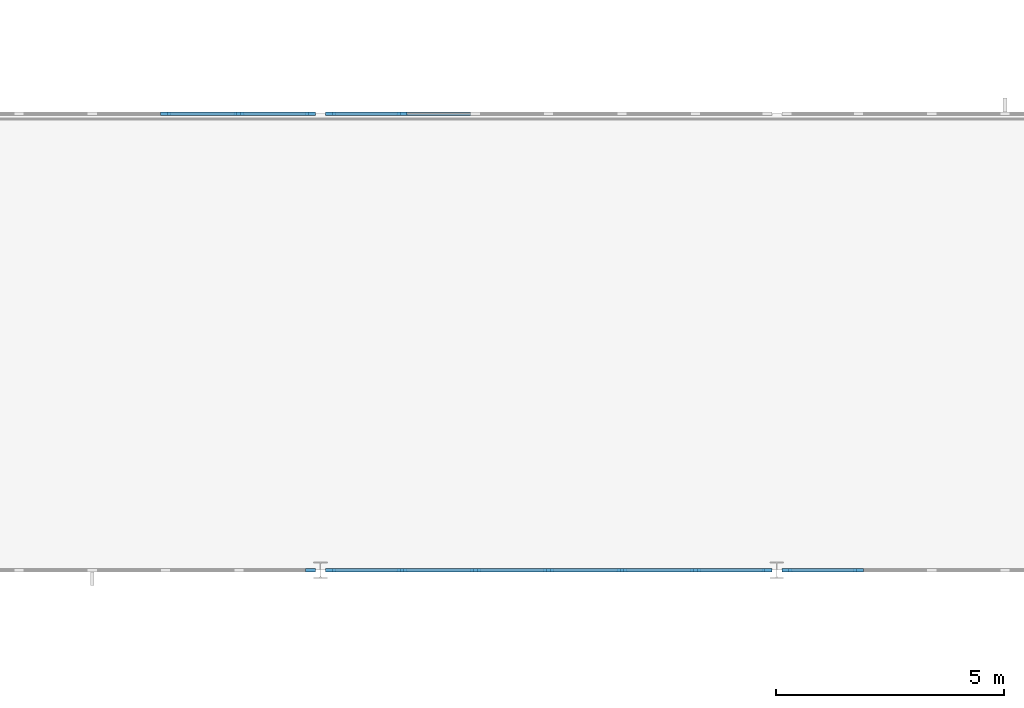
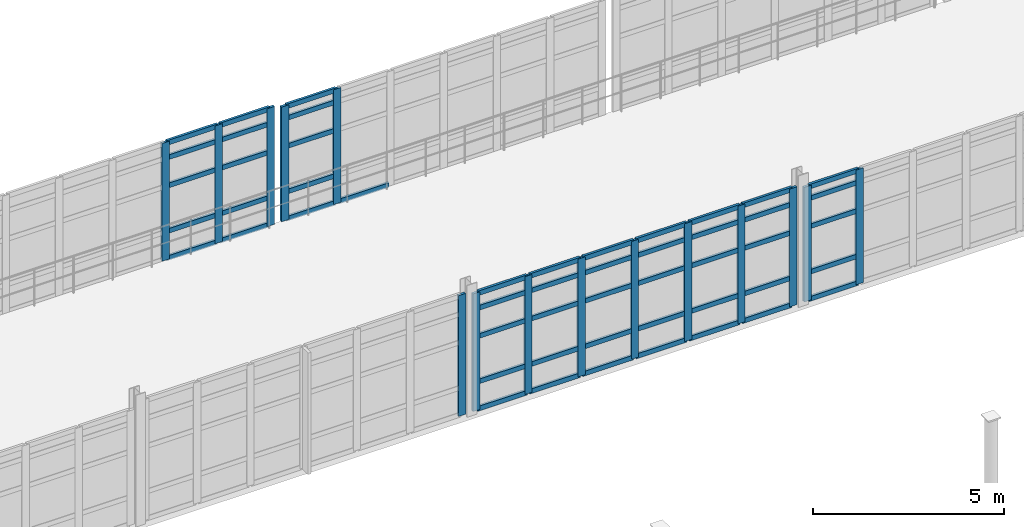
# One storey, part 43 of 122: 66 members, 5 elements without a shape of their own.
"""IFC4 building model written with IfcOpenShell, lengths in metres."""

from ifc_helpers import new_model, si_unit, direction, frame, origin, origin_2d, place, context, subcontext, project, spatial, rectangle, extrude, material, layer, layer_set, material_profile, profile_set, type_object, element, aggregate, save


model = new_model("IFC4")

# Units and contexts
model_context = context("Model", 3, precision=1e-05, world=origin(), true_north=direction((0.0, 1.0)))
body_context = subcontext(model_context, "Body", "Model", "MODEL_VIEW")
ifc_project = project(units=[si_unit("LENGTHUNIT", "METRE"), si_unit("AREAUNIT", "SQUARE_METRE"), si_unit("VOLUMEUNIT", "CUBIC_METRE"), si_unit("PLANEANGLEUNIT", "RADIAN"), si_unit("MASSUNIT", "GRAM", prefix="KILO"), si_unit("THERMODYNAMICTEMPERATUREUNIT", "KELVIN"), si_unit("POWERUNIT", "WATT")], contexts=[model_context])

# Site, building, storey
site_placement = place(None, origin())
site = spatial("IfcSite", under=ifc_project, at=site_placement, CompositionType="ELEMENT")
building_placement = place(site_placement, origin())
building = spatial("IfcBuilding", under=site, at=building_placement, Name="Korenveer Ferry Terminal", CompositionType="ELEMENT")
storey_placement = place(building_placement, frame((0.0, 0.0, 10.199951171875)))
storey = spatial("IfcBuildingStorey", under=building, at=storey_placement, Name="L02", CompositionType="ELEMENT", Elevation=10.199951171875)

# Curtain wall, member
ifc_material_1 = material(Name="Unitised bronze-and-glass curtain wall", Category="glass")
ifc_layer_1 = layer(ifc_material_1, 0.219970703125)
ifc_layer_set_1 = layer_set([ifc_layer_1], Name="Unitised bronze-and-glass curtain wall")
curtain_wall_type_1 = type_object("IfcCurtainWallType", Name="ENV-CW-92", PredefinedType="USERDEFINED", material=ifc_layer_set_1)
curtain_wall_1_placement = place(storey_placement, frame((73.179931640625, 50.0, 0.0)))
curtain_wall_1 = element("IfcCurtainWall", 1, at=curtain_wall_1_placement, inside=storey, type_object=curtain_wall_type_1, Name="Lancet curtain wall CWX-L02-X73-83-Y50-50", ObjectType="UNITISED CURTAIN WALL", PredefinedType="USERDEFINED")
ifc_material_2 = material(Name="Anodised bronze aluminium", Category="aluminium")
ifc_material_profile_1 = material_profile(ifc_material_2, rectangle(XDim=0.074951171875, YDim=0.219970703125, at=origin_2d()), Name="ALU 75x220")
ifc_profile_set_1 = profile_set([ifc_material_profile_1], Name="Anodised bronze aluminium")
member_type_1 = type_object("IfcMemberType", Name="ENV-CWM-75X220", PredefinedType="MULLION", material=ifc_profile_set_1)
member_1_placement = place(storey_placement, frame((82.782470703125, 50.0, 0.0), z_axis=(0.0, 0.0, 1.0), x_axis=(0.0, 1.0, 0.0)))
member_1 = element("IfcMember", 2, at=member_1_placement, type_object=member_type_1, Name="CW-92 mullion 7", PredefinedType="MULLION", context=body_context, shape_type="SweptSolid", body=[
    extrude(rectangle(XDim=0.074951171875, YDim=0.219970703125, at=origin_2d()), origin(), (0.0, 0.0, 1.0), 3.860107421875),
])
aggregate(curtain_wall_1, [member_1])

# Curtain wall, members
ifc_layer_2 = layer(ifc_material_1, 0.219970703125)
ifc_layer_set_2 = layer_set([ifc_layer_2], Name="Unitised bronze-and-glass curtain wall")
curtain_wall_type_2 = type_object("IfcCurtainWallType", Name="ENV-CW-90", PredefinedType="USERDEFINED", material=ifc_layer_set_2)
curtain_wall_2_placement = place(storey_placement, frame((83.179931640625, 50.0, 0.0)))
curtain_wall_2 = element("IfcCurtainWall", 3, at=curtain_wall_2_placement, inside=storey, type_object=curtain_wall_type_2, Name="Lancet curtain wall CWX-L02-X83-93-Y50-50", ObjectType="UNITISED CURTAIN WALL", PredefinedType="USERDEFINED")
member_2_placement = place(storey_placement, frame((83.217529296875, 50.0, 0.0), z_axis=(0.0, 0.0, 1.0), x_axis=(0.0, 1.0, 0.0)))
member_2 = element("IfcMember", 4, at=member_2_placement, type_object=member_type_1, Name="CW-90 mullion 1", PredefinedType="MULLION", context=body_context, shape_type="SweptSolid", body=[
    extrude(rectangle(XDim=0.074951171875, YDim=0.219970703125, at=origin_2d()), origin(), (0.0, 0.0, 1.0), 3.760009765625),
])
member_3_placement = place(storey_placement, frame((84.78662109375, 50.0, 0.0), z_axis=(0.0, 0.0, 1.0), x_axis=(0.0, 1.0, 0.0)))
member_3 = element("IfcMember", 5, at=member_3_placement, type_object=member_type_1, Name="CW-90 mullion 2", PredefinedType="MULLION", context=body_context, shape_type="SweptSolid", body=[
    extrude(rectangle(XDim=0.074951171875, YDim=0.219970703125, at=origin_2d()), origin(), (0.0, 0.0, 1.0), 3.760009765625),
])
member_4_placement = place(storey_placement, frame((86.393310546875, 50.0, 0.0), z_axis=(0.0, 0.0, 1.0), x_axis=(0.0, 1.0, 0.0)))
member_4 = element("IfcMember", 6, at=member_4_placement, type_object=member_type_1, Name="CW-90 mullion 3", PredefinedType="MULLION", context=body_context, shape_type="SweptSolid", body=[
    extrude(rectangle(XDim=0.074951171875, YDim=0.219970703125, at=origin_2d()), origin(), (0.0, 0.0, 1.0), 3.760009765625),
])
member_5_placement = place(storey_placement, frame((88.0, 50.0, 0.0), z_axis=(0.0, 0.0, 1.0), x_axis=(0.0, 1.0, 0.0)))
member_5 = element("IfcMember", 7, at=member_5_placement, type_object=member_type_1, Name="CW-90 mullion 4", PredefinedType="MULLION", context=body_context, shape_type="SweptSolid", body=[
    extrude(rectangle(XDim=0.074951171875, YDim=0.219970703125, at=origin_2d()), origin(), (0.0, 0.0, 1.0), 3.760009765625),
])
member_6_placement = place(storey_placement, frame((89.606689453125, 50.0, 0.0), z_axis=(0.0, 0.0, 1.0), x_axis=(0.0, 1.0, 0.0)))
member_6 = element("IfcMember", 8, at=member_6_placement, type_object=member_type_1, Name="CW-90 mullion 5", PredefinedType="MULLION", context=body_context, shape_type="SweptSolid", body=[
    extrude(rectangle(XDim=0.074951171875, YDim=0.219970703125, at=origin_2d()), origin(), (0.0, 0.0, 1.0), 3.760009765625),
])
member_7_placement = place(storey_placement, frame((91.21337890625, 50.0, 0.0), z_axis=(0.0, 0.0, 1.0), x_axis=(0.0, 1.0, 0.0)))
member_7 = element("IfcMember", 9, at=member_7_placement, type_object=member_type_1, Name="CW-90 mullion 6", PredefinedType="MULLION", context=body_context, shape_type="SweptSolid", body=[
    extrude(rectangle(XDim=0.074951171875, YDim=0.219970703125, at=origin_2d()), origin(), (0.0, 0.0, 1.0), 3.760009765625),
])
member_8_placement = place(storey_placement, frame((92.782470703125, 50.0, 0.0), z_axis=(0.0, 0.0, 1.0), x_axis=(0.0, 1.0, 0.0)))
member_8 = element("IfcMember", 10, at=member_8_placement, type_object=member_type_1, Name="CW-90 mullion 7", PredefinedType="MULLION", context=body_context, shape_type="SweptSolid", body=[
    extrude(rectangle(XDim=0.074951171875, YDim=0.219970703125, at=origin_2d()), origin(), (0.0, 0.0, 1.0), 3.760009765625),
])

ifc_layer_3 = layer(ifc_material_1, 0.219970703125)
ifc_layer_set_3 = layer_set([ifc_layer_3], Name="Unitised bronze-and-glass curtain wall")
curtain_wall_type_3 = type_object("IfcCurtainWallType", Name="ENV-CW-91", PredefinedType="USERDEFINED", material=ifc_layer_set_3)
curtain_wall_3_placement = place(storey_placement, frame((93.179931640625, 50.0, 0.0)))
curtain_wall_3 = element("IfcCurtainWall", 11, at=curtain_wall_3_placement, inside=storey, type_object=curtain_wall_type_3, Name="Lancet curtain wall CWX-L02-X93-103-Y50-50", ObjectType="UNITISED CURTAIN WALL", PredefinedType="USERDEFINED")
member_9_placement = place(storey_placement, frame((93.217529296875, 50.0, 0.0), z_axis=(0.0, 0.0, 1.0), x_axis=(0.0, 1.0, 0.0)))
member_9 = element("IfcMember", 12, at=member_9_placement, type_object=member_type_1, Name="CW-91 mullion 1", PredefinedType="MULLION", context=body_context, shape_type="SweptSolid", body=[
    extrude(rectangle(XDim=0.074951171875, YDim=0.219970703125, at=origin_2d()), origin(), (0.0, 0.0, 1.0), 3.66015625),
])
member_10_placement = place(storey_placement, frame((94.78662109375, 50.0, 0.0), z_axis=(0.0, 0.0, 1.0), x_axis=(0.0, 1.0, 0.0)))
member_10 = element("IfcMember", 13, at=member_10_placement, type_object=member_type_1, Name="CW-91 mullion 2", PredefinedType="MULLION", context=body_context, shape_type="SweptSolid", body=[
    extrude(rectangle(XDim=0.074951171875, YDim=0.219970703125, at=origin_2d()), origin(), (0.0, 0.0, 1.0), 3.66015625),
])

curtain_wall_4_placement = place(storey_placement, frame((73.179931640625, 60.0, 0.0)))
curtain_wall_4 = element("IfcCurtainWall", 14, at=curtain_wall_4_placement, inside=storey, type_object=curtain_wall_type_2, Name="Lancet curtain wall CWX-L02-X73-83-Y60-60", ObjectType="UNITISED CURTAIN WALL", PredefinedType="USERDEFINED")
member_11_placement = place(storey_placement, frame((79.606689453125, 60.0, 0.0), z_axis=(0.0, 0.0, 1.0), x_axis=(0.0, 1.0, 0.0)))
member_11 = element("IfcMember", 15, at=member_11_placement, type_object=member_type_1, Name="CW-90 mullion 5", PredefinedType="MULLION", context=body_context, shape_type="SweptSolid", body=[
    extrude(rectangle(XDim=0.074951171875, YDim=0.219970703125, at=origin_2d()), origin(), (0.0, 0.0, 1.0), 3.760009765625),
])
member_12_placement = place(storey_placement, frame((81.21337890625, 60.0, 0.0), z_axis=(0.0, 0.0, 1.0), x_axis=(0.0, 1.0, 0.0)))
member_12 = element("IfcMember", 16, at=member_12_placement, type_object=member_type_1, Name="CW-90 mullion 6", PredefinedType="MULLION", context=body_context, shape_type="SweptSolid", body=[
    extrude(rectangle(XDim=0.074951171875, YDim=0.219970703125, at=origin_2d()), origin(), (0.0, 0.0, 1.0), 3.760009765625),
])
member_13_placement = place(storey_placement, frame((82.782470703125, 60.0, 0.0), z_axis=(0.0, 0.0, 1.0), x_axis=(0.0, 1.0, 0.0)))
member_13 = element("IfcMember", 17, at=member_13_placement, type_object=member_type_1, Name="CW-90 mullion 7", PredefinedType="MULLION", context=body_context, shape_type="SweptSolid", body=[
    extrude(rectangle(XDim=0.074951171875, YDim=0.219970703125, at=origin_2d()), origin(), (0.0, 0.0, 1.0), 3.760009765625),
])

curtain_wall_5_placement = place(storey_placement, frame((83.179931640625, 60.0, 0.0)))
curtain_wall_5 = element("IfcCurtainWall", 18, at=curtain_wall_5_placement, inside=storey, type_object=curtain_wall_type_3, Name="Lancet curtain wall CWX-L02-X83-93-Y60-60", ObjectType="UNITISED CURTAIN WALL", PredefinedType="USERDEFINED")
member_14_placement = place(storey_placement, frame((83.217529296875, 60.0, 0.0), z_axis=(0.0, 0.0, 1.0), x_axis=(0.0, 1.0, 0.0)))
member_14 = element("IfcMember", 19, at=member_14_placement, type_object=member_type_1, Name="CW-91 mullion 1", PredefinedType="MULLION", context=body_context, shape_type="SweptSolid", body=[
    extrude(rectangle(XDim=0.074951171875, YDim=0.219970703125, at=origin_2d()), origin(), (0.0, 0.0, 1.0), 3.66015625),
])
member_15_placement = place(storey_placement, frame((84.78662109375, 60.0, 0.0), z_axis=(0.0, 0.0, 1.0), x_axis=(0.0, 1.0, 0.0)))
member_15 = element("IfcMember", 20, at=member_15_placement, type_object=member_type_1, Name="CW-91 mullion 2", PredefinedType="MULLION", context=body_context, shape_type="SweptSolid", body=[
    extrude(rectangle(XDim=0.074951171875, YDim=0.219970703125, at=origin_2d()), origin(), (0.0, 0.0, 1.0), 3.66015625),
])

# Member
ifc_material_profile_2 = material_profile(ifc_material_2, rectangle(XDim=0.074951171875, YDim=0.14990234375, at=origin_2d()), Name="ALU 75x150")
ifc_profile_set_2 = profile_set([ifc_material_profile_2], Name="Anodised bronze aluminium")
member_type_2 = type_object("IfcMemberType", Name="ENV-CWT-75X150", PredefinedType="USERDEFINED", material=ifc_profile_set_2)
member_16_placement = place(storey_placement, frame((83.2548828125, 50.0, 0.03759765625), z_axis=(1.0, 0.0, 0.0), x_axis=(0.0, 1.0, 0.0)))
member_16 = element("IfcMember", 21, at=member_16_placement, type_object=member_type_2, Name="CW-90 transom 1.1", ObjectType="TRANSOM", PredefinedType="USERDEFINED", context=body_context, shape_type="SweptSolid", body=[
    extrude(rectangle(XDim=0.074951171875, YDim=0.14990234375, at=origin_2d()), origin(), (0.0, 0.0, 1.0), 1.494384765625),
])

member_17_placement = place(storey_placement, frame((83.2548828125, 50.0, 0.900146484375), z_axis=(1.0, 0.0, 0.0), x_axis=(0.0, 1.0, 0.0)))
member_17 = element("IfcMember", 22, at=member_17_placement, type_object=member_type_2, Name="CW-90 transom 1.2", ObjectType="TRANSOM", PredefinedType="USERDEFINED", context=body_context, shape_type="SweptSolid", body=[
    extrude(rectangle(XDim=0.074951171875, YDim=0.14990234375, at=origin_2d()), origin(), (0.0, 0.0, 1.0), 1.494384765625),
])

member_18_placement = place(storey_placement, frame((83.2548828125, 50.0, 2.35009765625), z_axis=(1.0, 0.0, 0.0), x_axis=(0.0, 1.0, 0.0)))
member_18 = element("IfcMember", 23, at=member_18_placement, type_object=member_type_2, Name="CW-90 transom 1.3", ObjectType="TRANSOM", PredefinedType="USERDEFINED", context=body_context, shape_type="SweptSolid", body=[
    extrude(rectangle(XDim=0.074951171875, YDim=0.14990234375, at=origin_2d()), origin(), (0.0, 0.0, 1.0), 1.494384765625),
])

member_19_placement = place(storey_placement, frame((83.2548828125, 50.0, 3.25), z_axis=(1.0, 0.0, 0.0), x_axis=(0.0, 1.0, 0.0)))
member_19 = element("IfcMember", 24, at=member_19_placement, type_object=member_type_2, Name="CW-90 transom 1.4", ObjectType="TRANSOM", PredefinedType="USERDEFINED", context=body_context, shape_type="SweptSolid", body=[
    extrude(rectangle(XDim=0.074951171875, YDim=0.14990234375, at=origin_2d()), origin(), (0.0, 0.0, 1.0), 1.494384765625),
])

member_20_placement = place(storey_placement, frame((83.2548828125, 50.0, 3.72265625), z_axis=(1.0, 0.0, 0.0), x_axis=(0.0, 1.0, 0.0)))
member_20 = element("IfcMember", 25, at=member_20_placement, type_object=member_type_2, Name="CW-90 transom 1.5", ObjectType="TRANSOM", PredefinedType="USERDEFINED", context=body_context, shape_type="SweptSolid", body=[
    extrude(rectangle(XDim=0.074951171875, YDim=0.14990234375, at=origin_2d()), origin(), (0.0, 0.0, 1.0), 1.494384765625),
])

member_21_placement = place(storey_placement, frame((84.82421875, 50.0, 0.03759765625), z_axis=(1.0, 0.0, 0.0), x_axis=(0.0, 1.0, 0.0)))
member_21 = element("IfcMember", 26, at=member_21_placement, type_object=member_type_2, Name="CW-90 transom 2.1", ObjectType="TRANSOM", PredefinedType="USERDEFINED", context=body_context, shape_type="SweptSolid", body=[
    extrude(rectangle(XDim=0.074951171875, YDim=0.14990234375, at=origin_2d()), origin(), (0.0, 0.0, 1.0), 1.531494140625),
])

member_22_placement = place(storey_placement, frame((84.82421875, 50.0, 0.900146484375), z_axis=(1.0, 0.0, 0.0), x_axis=(0.0, 1.0, 0.0)))
member_22 = element("IfcMember", 27, at=member_22_placement, type_object=member_type_2, Name="CW-90 transom 2.2", ObjectType="TRANSOM", PredefinedType="USERDEFINED", context=body_context, shape_type="SweptSolid", body=[
    extrude(rectangle(XDim=0.074951171875, YDim=0.14990234375, at=origin_2d()), origin(), (0.0, 0.0, 1.0), 1.531494140625),
])

member_23_placement = place(storey_placement, frame((84.82421875, 50.0, 2.35009765625), z_axis=(1.0, 0.0, 0.0), x_axis=(0.0, 1.0, 0.0)))
member_23 = element("IfcMember", 28, at=member_23_placement, type_object=member_type_2, Name="CW-90 transom 2.3", ObjectType="TRANSOM", PredefinedType="USERDEFINED", context=body_context, shape_type="SweptSolid", body=[
    extrude(rectangle(XDim=0.074951171875, YDim=0.14990234375, at=origin_2d()), origin(), (0.0, 0.0, 1.0), 1.531494140625),
])

member_24_placement = place(storey_placement, frame((84.82421875, 50.0, 3.25), z_axis=(1.0, 0.0, 0.0), x_axis=(0.0, 1.0, 0.0)))
member_24 = element("IfcMember", 29, at=member_24_placement, type_object=member_type_2, Name="CW-90 transom 2.4", ObjectType="TRANSOM", PredefinedType="USERDEFINED", context=body_context, shape_type="SweptSolid", body=[
    extrude(rectangle(XDim=0.074951171875, YDim=0.14990234375, at=origin_2d()), origin(), (0.0, 0.0, 1.0), 1.531494140625),
])

member_25_placement = place(storey_placement, frame((84.82421875, 50.0, 3.72265625), z_axis=(1.0, 0.0, 0.0), x_axis=(0.0, 1.0, 0.0)))
member_25 = element("IfcMember", 30, at=member_25_placement, type_object=member_type_2, Name="CW-90 transom 2.5", ObjectType="TRANSOM", PredefinedType="USERDEFINED", context=body_context, shape_type="SweptSolid", body=[
    extrude(rectangle(XDim=0.074951171875, YDim=0.14990234375, at=origin_2d()), origin(), (0.0, 0.0, 1.0), 1.531494140625),
])

member_26_placement = place(storey_placement, frame((86.430908203125, 50.0, 0.03759765625), z_axis=(1.0, 0.0, 0.0), x_axis=(0.0, 1.0, 0.0)))
member_26 = element("IfcMember", 31, at=member_26_placement, type_object=member_type_2, Name="CW-90 transom 3.1", ObjectType="TRANSOM", PredefinedType="USERDEFINED", context=body_context, shape_type="SweptSolid", body=[
    extrude(rectangle(XDim=0.074951171875, YDim=0.14990234375, at=origin_2d()), origin(), (0.0, 0.0, 1.0), 1.531494140625),
])

member_27_placement = place(storey_placement, frame((86.430908203125, 50.0, 0.900146484375), z_axis=(1.0, 0.0, 0.0), x_axis=(0.0, 1.0, 0.0)))
member_27 = element("IfcMember", 32, at=member_27_placement, type_object=member_type_2, Name="CW-90 transom 3.2", ObjectType="TRANSOM", PredefinedType="USERDEFINED", context=body_context, shape_type="SweptSolid", body=[
    extrude(rectangle(XDim=0.074951171875, YDim=0.14990234375, at=origin_2d()), origin(), (0.0, 0.0, 1.0), 1.531494140625),
])

member_28_placement = place(storey_placement, frame((86.430908203125, 50.0, 2.35009765625), z_axis=(1.0, 0.0, 0.0), x_axis=(0.0, 1.0, 0.0)))
member_28 = element("IfcMember", 33, at=member_28_placement, type_object=member_type_2, Name="CW-90 transom 3.3", ObjectType="TRANSOM", PredefinedType="USERDEFINED", context=body_context, shape_type="SweptSolid", body=[
    extrude(rectangle(XDim=0.074951171875, YDim=0.14990234375, at=origin_2d()), origin(), (0.0, 0.0, 1.0), 1.531494140625),
])

member_29_placement = place(storey_placement, frame((86.430908203125, 50.0, 3.25), z_axis=(1.0, 0.0, 0.0), x_axis=(0.0, 1.0, 0.0)))
member_29 = element("IfcMember", 34, at=member_29_placement, type_object=member_type_2, Name="CW-90 transom 3.4", ObjectType="TRANSOM", PredefinedType="USERDEFINED", context=body_context, shape_type="SweptSolid", body=[
    extrude(rectangle(XDim=0.074951171875, YDim=0.14990234375, at=origin_2d()), origin(), (0.0, 0.0, 1.0), 1.531494140625),
])

member_30_placement = place(storey_placement, frame((86.430908203125, 50.0, 3.72265625), z_axis=(1.0, 0.0, 0.0), x_axis=(0.0, 1.0, 0.0)))
member_30 = element("IfcMember", 35, at=member_30_placement, type_object=member_type_2, Name="CW-90 transom 3.5", ObjectType="TRANSOM", PredefinedType="USERDEFINED", context=body_context, shape_type="SweptSolid", body=[
    extrude(rectangle(XDim=0.074951171875, YDim=0.14990234375, at=origin_2d()), origin(), (0.0, 0.0, 1.0), 1.531494140625),
])

member_31_placement = place(storey_placement, frame((88.03759765625, 50.0, 0.03759765625), z_axis=(1.0, 0.0, 0.0), x_axis=(0.0, 1.0, 0.0)))
member_31 = element("IfcMember", 36, at=member_31_placement, type_object=member_type_2, Name="CW-90 transom 4.1", ObjectType="TRANSOM", PredefinedType="USERDEFINED", context=body_context, shape_type="SweptSolid", body=[
    extrude(rectangle(XDim=0.074951171875, YDim=0.14990234375, at=origin_2d()), origin(), (0.0, 0.0, 1.0), 1.531494140625),
])

member_32_placement = place(storey_placement, frame((88.03759765625, 50.0, 0.900146484375), z_axis=(1.0, 0.0, 0.0), x_axis=(0.0, 1.0, 0.0)))
member_32 = element("IfcMember", 37, at=member_32_placement, type_object=member_type_2, Name="CW-90 transom 4.2", ObjectType="TRANSOM", PredefinedType="USERDEFINED", context=body_context, shape_type="SweptSolid", body=[
    extrude(rectangle(XDim=0.074951171875, YDim=0.14990234375, at=origin_2d()), origin(), (0.0, 0.0, 1.0), 1.531494140625),
])

member_33_placement = place(storey_placement, frame((88.03759765625, 50.0, 2.35009765625), z_axis=(1.0, 0.0, 0.0), x_axis=(0.0, 1.0, 0.0)))
member_33 = element("IfcMember", 38, at=member_33_placement, type_object=member_type_2, Name="CW-90 transom 4.3", ObjectType="TRANSOM", PredefinedType="USERDEFINED", context=body_context, shape_type="SweptSolid", body=[
    extrude(rectangle(XDim=0.074951171875, YDim=0.14990234375, at=origin_2d()), origin(), (0.0, 0.0, 1.0), 1.531494140625),
])

member_34_placement = place(storey_placement, frame((88.03759765625, 50.0, 3.25), z_axis=(1.0, 0.0, 0.0), x_axis=(0.0, 1.0, 0.0)))
member_34 = element("IfcMember", 39, at=member_34_placement, type_object=member_type_2, Name="CW-90 transom 4.4", ObjectType="TRANSOM", PredefinedType="USERDEFINED", context=body_context, shape_type="SweptSolid", body=[
    extrude(rectangle(XDim=0.074951171875, YDim=0.14990234375, at=origin_2d()), origin(), (0.0, 0.0, 1.0), 1.531494140625),
])

member_35_placement = place(storey_placement, frame((88.03759765625, 50.0, 3.72265625), z_axis=(1.0, 0.0, 0.0), x_axis=(0.0, 1.0, 0.0)))
member_35 = element("IfcMember", 40, at=member_35_placement, type_object=member_type_2, Name="CW-90 transom 4.5", ObjectType="TRANSOM", PredefinedType="USERDEFINED", context=body_context, shape_type="SweptSolid", body=[
    extrude(rectangle(XDim=0.074951171875, YDim=0.14990234375, at=origin_2d()), origin(), (0.0, 0.0, 1.0), 1.531494140625),
])

member_36_placement = place(storey_placement, frame((89.644287109375, 50.0, 0.03759765625), z_axis=(1.0, 0.0, 0.0), x_axis=(0.0, 1.0, 0.0)))
member_36 = element("IfcMember", 41, at=member_36_placement, type_object=member_type_2, Name="CW-90 transom 5.1", ObjectType="TRANSOM", PredefinedType="USERDEFINED", context=body_context, shape_type="SweptSolid", body=[
    extrude(rectangle(XDim=0.074951171875, YDim=0.14990234375, at=origin_2d()), origin(), (0.0, 0.0, 1.0), 1.531494140625),
])

member_37_placement = place(storey_placement, frame((89.644287109375, 50.0, 0.900146484375), z_axis=(1.0, 0.0, 0.0), x_axis=(0.0, 1.0, 0.0)))
member_37 = element("IfcMember", 42, at=member_37_placement, type_object=member_type_2, Name="CW-90 transom 5.2", ObjectType="TRANSOM", PredefinedType="USERDEFINED", context=body_context, shape_type="SweptSolid", body=[
    extrude(rectangle(XDim=0.074951171875, YDim=0.14990234375, at=origin_2d()), origin(), (0.0, 0.0, 1.0), 1.531494140625),
])

member_38_placement = place(storey_placement, frame((89.644287109375, 50.0, 2.35009765625), z_axis=(1.0, 0.0, 0.0), x_axis=(0.0, 1.0, 0.0)))
member_38 = element("IfcMember", 43, at=member_38_placement, type_object=member_type_2, Name="CW-90 transom 5.3", ObjectType="TRANSOM", PredefinedType="USERDEFINED", context=body_context, shape_type="SweptSolid", body=[
    extrude(rectangle(XDim=0.074951171875, YDim=0.14990234375, at=origin_2d()), origin(), (0.0, 0.0, 1.0), 1.531494140625),
])

member_39_placement = place(storey_placement, frame((89.644287109375, 50.0, 3.25), z_axis=(1.0, 0.0, 0.0), x_axis=(0.0, 1.0, 0.0)))
member_39 = element("IfcMember", 44, at=member_39_placement, type_object=member_type_2, Name="CW-90 transom 5.4", ObjectType="TRANSOM", PredefinedType="USERDEFINED", context=body_context, shape_type="SweptSolid", body=[
    extrude(rectangle(XDim=0.074951171875, YDim=0.14990234375, at=origin_2d()), origin(), (0.0, 0.0, 1.0), 1.531494140625),
])

member_40_placement = place(storey_placement, frame((89.644287109375, 50.0, 3.72265625), z_axis=(1.0, 0.0, 0.0), x_axis=(0.0, 1.0, 0.0)))
member_40 = element("IfcMember", 45, at=member_40_placement, type_object=member_type_2, Name="CW-90 transom 5.5", ObjectType="TRANSOM", PredefinedType="USERDEFINED", context=body_context, shape_type="SweptSolid", body=[
    extrude(rectangle(XDim=0.074951171875, YDim=0.14990234375, at=origin_2d()), origin(), (0.0, 0.0, 1.0), 1.531494140625),
])

member_41_placement = place(storey_placement, frame((91.250732421875, 50.0, 0.03759765625), z_axis=(1.0, 0.0, 0.0), x_axis=(0.0, 1.0, 0.0)))
member_41 = element("IfcMember", 46, at=member_41_placement, type_object=member_type_2, Name="CW-90 transom 6.1", ObjectType="TRANSOM", PredefinedType="USERDEFINED", context=body_context, shape_type="SweptSolid", body=[
    extrude(rectangle(XDim=0.074951171875, YDim=0.14990234375, at=origin_2d()), origin(), (0.0, 0.0, 1.0), 1.494384765625),
])

member_42_placement = place(storey_placement, frame((91.250732421875, 50.0, 0.900146484375), z_axis=(1.0, 0.0, 0.0), x_axis=(0.0, 1.0, 0.0)))
member_42 = element("IfcMember", 47, at=member_42_placement, type_object=member_type_2, Name="CW-90 transom 6.2", ObjectType="TRANSOM", PredefinedType="USERDEFINED", context=body_context, shape_type="SweptSolid", body=[
    extrude(rectangle(XDim=0.074951171875, YDim=0.14990234375, at=origin_2d()), origin(), (0.0, 0.0, 1.0), 1.494384765625),
])

member_43_placement = place(storey_placement, frame((91.250732421875, 50.0, 2.35009765625), z_axis=(1.0, 0.0, 0.0), x_axis=(0.0, 1.0, 0.0)))
member_43 = element("IfcMember", 48, at=member_43_placement, type_object=member_type_2, Name="CW-90 transom 6.3", ObjectType="TRANSOM", PredefinedType="USERDEFINED", context=body_context, shape_type="SweptSolid", body=[
    extrude(rectangle(XDim=0.074951171875, YDim=0.14990234375, at=origin_2d()), origin(), (0.0, 0.0, 1.0), 1.494384765625),
])

member_44_placement = place(storey_placement, frame((91.250732421875, 50.0, 3.25), z_axis=(1.0, 0.0, 0.0), x_axis=(0.0, 1.0, 0.0)))
member_44 = element("IfcMember", 49, at=member_44_placement, type_object=member_type_2, Name="CW-90 transom 6.4", ObjectType="TRANSOM", PredefinedType="USERDEFINED", context=body_context, shape_type="SweptSolid", body=[
    extrude(rectangle(XDim=0.074951171875, YDim=0.14990234375, at=origin_2d()), origin(), (0.0, 0.0, 1.0), 1.494384765625),
])

member_45_placement = place(storey_placement, frame((91.250732421875, 50.0, 3.72265625), z_axis=(1.0, 0.0, 0.0), x_axis=(0.0, 1.0, 0.0)))
member_45 = element("IfcMember", 50, at=member_45_placement, type_object=member_type_2, Name="CW-90 transom 6.5", ObjectType="TRANSOM", PredefinedType="USERDEFINED", context=body_context, shape_type="SweptSolid", body=[
    extrude(rectangle(XDim=0.074951171875, YDim=0.14990234375, at=origin_2d()), origin(), (0.0, 0.0, 1.0), 1.494384765625),
])

aggregate(curtain_wall_2, [member_2, member_3, member_4, member_5, member_6, member_7, member_8, member_16, member_17, member_18, member_19, member_20, member_21, member_22, member_23, member_24, member_25, member_26, member_27, member_28, member_29, member_30, member_31, member_32, member_33, member_34, member_35, member_36, member_37, member_38, member_39, member_40, member_41, member_42, member_43, member_44, member_45])

member_46_placement = place(storey_placement, frame((93.2548828125, 50.0, 0.03759765625), z_axis=(1.0, 0.0, 0.0), x_axis=(0.0, 1.0, 0.0)))
member_46 = element("IfcMember", 51, at=member_46_placement, type_object=member_type_2, Name="CW-91 transom 1.1", ObjectType="TRANSOM", PredefinedType="USERDEFINED", context=body_context, shape_type="SweptSolid", body=[
    extrude(rectangle(XDim=0.074951171875, YDim=0.14990234375, at=origin_2d()), origin(), (0.0, 0.0, 1.0), 1.494384765625),
])

member_47_placement = place(storey_placement, frame((93.2548828125, 50.0, 0.900146484375), z_axis=(1.0, 0.0, 0.0), x_axis=(0.0, 1.0, 0.0)))
member_47 = element("IfcMember", 52, at=member_47_placement, type_object=member_type_2, Name="CW-91 transom 1.2", ObjectType="TRANSOM", PredefinedType="USERDEFINED", context=body_context, shape_type="SweptSolid", body=[
    extrude(rectangle(XDim=0.074951171875, YDim=0.14990234375, at=origin_2d()), origin(), (0.0, 0.0, 1.0), 1.494384765625),
])

member_48_placement = place(storey_placement, frame((93.2548828125, 50.0, 2.35009765625), z_axis=(1.0, 0.0, 0.0), x_axis=(0.0, 1.0, 0.0)))
member_48 = element("IfcMember", 53, at=member_48_placement, type_object=member_type_2, Name="CW-91 transom 1.3", ObjectType="TRANSOM", PredefinedType="USERDEFINED", context=body_context, shape_type="SweptSolid", body=[
    extrude(rectangle(XDim=0.074951171875, YDim=0.14990234375, at=origin_2d()), origin(), (0.0, 0.0, 1.0), 1.494384765625),
])

member_49_placement = place(storey_placement, frame((93.2548828125, 50.0, 3.25), z_axis=(1.0, 0.0, 0.0), x_axis=(0.0, 1.0, 0.0)))
member_49 = element("IfcMember", 54, at=member_49_placement, type_object=member_type_2, Name="CW-91 transom 1.4", ObjectType="TRANSOM", PredefinedType="USERDEFINED", context=body_context, shape_type="SweptSolid", body=[
    extrude(rectangle(XDim=0.074951171875, YDim=0.14990234375, at=origin_2d()), origin(), (0.0, 0.0, 1.0), 1.494384765625),
])

member_50_placement = place(storey_placement, frame((93.2548828125, 50.0, 3.62255859375), z_axis=(1.0, 0.0, 0.0), x_axis=(0.0, 1.0, 0.0)))
member_50 = element("IfcMember", 55, at=member_50_placement, type_object=member_type_2, Name="CW-91 transom 1.5", ObjectType="TRANSOM", PredefinedType="USERDEFINED", context=body_context, shape_type="SweptSolid", body=[
    extrude(rectangle(XDim=0.074951171875, YDim=0.14990234375, at=origin_2d()), origin(), (0.0, 0.0, 1.0), 1.494384765625),
])

aggregate(curtain_wall_3, [member_9, member_10, member_46, member_47, member_48, member_49, member_50])

member_51_placement = place(storey_placement, frame((79.644287109375, 60.0, 0.03759765625), z_axis=(1.0, 0.0, 0.0), x_axis=(0.0, 1.0, 0.0)))
member_51 = element("IfcMember", 56, at=member_51_placement, type_object=member_type_2, Name="CW-90 transom 5.1", ObjectType="TRANSOM", PredefinedType="USERDEFINED", context=body_context, shape_type="SweptSolid", body=[
    extrude(rectangle(XDim=0.074951171875, YDim=0.14990234375, at=origin_2d()), origin(), (0.0, 0.0, 1.0), 1.531494140625),
])

member_52_placement = place(storey_placement, frame((79.644287109375, 60.0, 0.900146484375), z_axis=(1.0, 0.0, 0.0), x_axis=(0.0, 1.0, 0.0)))
member_52 = element("IfcMember", 57, at=member_52_placement, type_object=member_type_2, Name="CW-90 transom 5.2", ObjectType="TRANSOM", PredefinedType="USERDEFINED", context=body_context, shape_type="SweptSolid", body=[
    extrude(rectangle(XDim=0.074951171875, YDim=0.14990234375, at=origin_2d()), origin(), (0.0, 0.0, 1.0), 1.531494140625),
])

member_53_placement = place(storey_placement, frame((79.644287109375, 60.0, 2.35009765625), z_axis=(1.0, 0.0, 0.0), x_axis=(0.0, 1.0, 0.0)))
member_53 = element("IfcMember", 58, at=member_53_placement, type_object=member_type_2, Name="CW-90 transom 5.3", ObjectType="TRANSOM", PredefinedType="USERDEFINED", context=body_context, shape_type="SweptSolid", body=[
    extrude(rectangle(XDim=0.074951171875, YDim=0.14990234375, at=origin_2d()), origin(), (0.0, 0.0, 1.0), 1.531494140625),
])

member_54_placement = place(storey_placement, frame((79.644287109375, 60.0, 3.25), z_axis=(1.0, 0.0, 0.0), x_axis=(0.0, 1.0, 0.0)))
member_54 = element("IfcMember", 59, at=member_54_placement, type_object=member_type_2, Name="CW-90 transom 5.4", ObjectType="TRANSOM", PredefinedType="USERDEFINED", context=body_context, shape_type="SweptSolid", body=[
    extrude(rectangle(XDim=0.074951171875, YDim=0.14990234375, at=origin_2d()), origin(), (0.0, 0.0, 1.0), 1.531494140625),
])

member_55_placement = place(storey_placement, frame((79.644287109375, 60.0, 3.72265625), z_axis=(1.0, 0.0, 0.0), x_axis=(0.0, 1.0, 0.0)))
member_55 = element("IfcMember", 60, at=member_55_placement, type_object=member_type_2, Name="CW-90 transom 5.5", ObjectType="TRANSOM", PredefinedType="USERDEFINED", context=body_context, shape_type="SweptSolid", body=[
    extrude(rectangle(XDim=0.074951171875, YDim=0.14990234375, at=origin_2d()), origin(), (0.0, 0.0, 1.0), 1.531494140625),
])

member_56_placement = place(storey_placement, frame((81.250732421875, 60.0, 0.03759765625), z_axis=(1.0, 0.0, 0.0), x_axis=(0.0, 1.0, 0.0)))
member_56 = element("IfcMember", 61, at=member_56_placement, type_object=member_type_2, Name="CW-90 transom 6.1", ObjectType="TRANSOM", PredefinedType="USERDEFINED", context=body_context, shape_type="SweptSolid", body=[
    extrude(rectangle(XDim=0.074951171875, YDim=0.14990234375, at=origin_2d()), origin(), (0.0, 0.0, 1.0), 1.494384765625),
])

member_57_placement = place(storey_placement, frame((81.250732421875, 60.0, 0.900146484375), z_axis=(1.0, 0.0, 0.0), x_axis=(0.0, 1.0, 0.0)))
member_57 = element("IfcMember", 62, at=member_57_placement, type_object=member_type_2, Name="CW-90 transom 6.2", ObjectType="TRANSOM", PredefinedType="USERDEFINED", context=body_context, shape_type="SweptSolid", body=[
    extrude(rectangle(XDim=0.074951171875, YDim=0.14990234375, at=origin_2d()), origin(), (0.0, 0.0, 1.0), 1.494384765625),
])

member_58_placement = place(storey_placement, frame((81.250732421875, 60.0, 2.35009765625), z_axis=(1.0, 0.0, 0.0), x_axis=(0.0, 1.0, 0.0)))
member_58 = element("IfcMember", 63, at=member_58_placement, type_object=member_type_2, Name="CW-90 transom 6.3", ObjectType="TRANSOM", PredefinedType="USERDEFINED", context=body_context, shape_type="SweptSolid", body=[
    extrude(rectangle(XDim=0.074951171875, YDim=0.14990234375, at=origin_2d()), origin(), (0.0, 0.0, 1.0), 1.494384765625),
])

member_59_placement = place(storey_placement, frame((81.250732421875, 60.0, 3.25), z_axis=(1.0, 0.0, 0.0), x_axis=(0.0, 1.0, 0.0)))
member_59 = element("IfcMember", 64, at=member_59_placement, type_object=member_type_2, Name="CW-90 transom 6.4", ObjectType="TRANSOM", PredefinedType="USERDEFINED", context=body_context, shape_type="SweptSolid", body=[
    extrude(rectangle(XDim=0.074951171875, YDim=0.14990234375, at=origin_2d()), origin(), (0.0, 0.0, 1.0), 1.494384765625),
])

member_60_placement = place(storey_placement, frame((81.250732421875, 60.0, 3.72265625), z_axis=(1.0, 0.0, 0.0), x_axis=(0.0, 1.0, 0.0)))
member_60 = element("IfcMember", 65, at=member_60_placement, type_object=member_type_2, Name="CW-90 transom 6.5", ObjectType="TRANSOM", PredefinedType="USERDEFINED", context=body_context, shape_type="SweptSolid", body=[
    extrude(rectangle(XDim=0.074951171875, YDim=0.14990234375, at=origin_2d()), origin(), (0.0, 0.0, 1.0), 1.494384765625),
])

aggregate(curtain_wall_4, [member_11, member_12, member_13, member_51, member_52, member_53, member_54, member_55, member_56, member_57, member_58, member_59, member_60])

member_61_placement = place(storey_placement, frame((83.2548828125, 60.0, 0.03759765625), z_axis=(1.0, 0.0, 0.0), x_axis=(0.0, 1.0, 0.0)))
member_61 = element("IfcMember", 66, at=member_61_placement, type_object=member_type_2, Name="CW-91 transom 1.1", ObjectType="TRANSOM", PredefinedType="USERDEFINED", context=body_context, shape_type="SweptSolid", body=[
    extrude(rectangle(XDim=0.074951171875, YDim=0.14990234375, at=origin_2d()), origin(), (0.0, 0.0, 1.0), 1.494384765625),
])

member_62_placement = place(storey_placement, frame((83.2548828125, 60.0, 0.900146484375), z_axis=(1.0, 0.0, 0.0), x_axis=(0.0, 1.0, 0.0)))
member_62 = element("IfcMember", 67, at=member_62_placement, type_object=member_type_2, Name="CW-91 transom 1.2", ObjectType="TRANSOM", PredefinedType="USERDEFINED", context=body_context, shape_type="SweptSolid", body=[
    extrude(rectangle(XDim=0.074951171875, YDim=0.14990234375, at=origin_2d()), origin(), (0.0, 0.0, 1.0), 1.494384765625),
])

member_63_placement = place(storey_placement, frame((83.2548828125, 60.0, 2.35009765625), z_axis=(1.0, 0.0, 0.0), x_axis=(0.0, 1.0, 0.0)))
member_63 = element("IfcMember", 68, at=member_63_placement, type_object=member_type_2, Name="CW-91 transom 1.3", ObjectType="TRANSOM", PredefinedType="USERDEFINED", context=body_context, shape_type="SweptSolid", body=[
    extrude(rectangle(XDim=0.074951171875, YDim=0.14990234375, at=origin_2d()), origin(), (0.0, 0.0, 1.0), 1.494384765625),
])

member_64_placement = place(storey_placement, frame((83.2548828125, 60.0, 3.25), z_axis=(1.0, 0.0, 0.0), x_axis=(0.0, 1.0, 0.0)))
member_64 = element("IfcMember", 69, at=member_64_placement, type_object=member_type_2, Name="CW-91 transom 1.4", ObjectType="TRANSOM", PredefinedType="USERDEFINED", context=body_context, shape_type="SweptSolid", body=[
    extrude(rectangle(XDim=0.074951171875, YDim=0.14990234375, at=origin_2d()), origin(), (0.0, 0.0, 1.0), 1.494384765625),
])

member_65_placement = place(storey_placement, frame((83.2548828125, 60.0, 3.62255859375), z_axis=(1.0, 0.0, 0.0), x_axis=(0.0, 1.0, 0.0)))
member_65 = element("IfcMember", 70, at=member_65_placement, type_object=member_type_2, Name="CW-91 transom 1.5", ObjectType="TRANSOM", PredefinedType="USERDEFINED", context=body_context, shape_type="SweptSolid", body=[
    extrude(rectangle(XDim=0.074951171875, YDim=0.14990234375, at=origin_2d()), origin(), (0.0, 0.0, 1.0), 1.494384765625),
])

member_66_placement = place(storey_placement, frame((84.82421875, 60.0, 0.03759765625), z_axis=(1.0, 0.0, 0.0), x_axis=(0.0, 1.0, 0.0)))
member_66 = element("IfcMember", 71, at=member_66_placement, type_object=member_type_2, Name="CW-91 transom 2.1", ObjectType="TRANSOM", PredefinedType="USERDEFINED", context=body_context, shape_type="SweptSolid", body=[
    extrude(rectangle(XDim=0.074951171875, YDim=0.14990234375, at=origin_2d()), origin(), (0.0, 0.0, 1.0), 1.531494140625),
])

aggregate(curtain_wall_5, [member_14, member_15, member_61, member_62, member_63, member_64, member_65, member_66])

save(model, "model.ifc")
